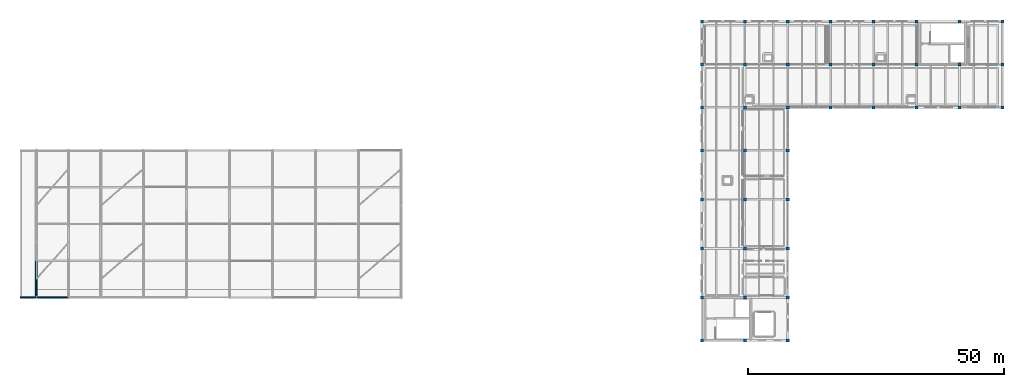
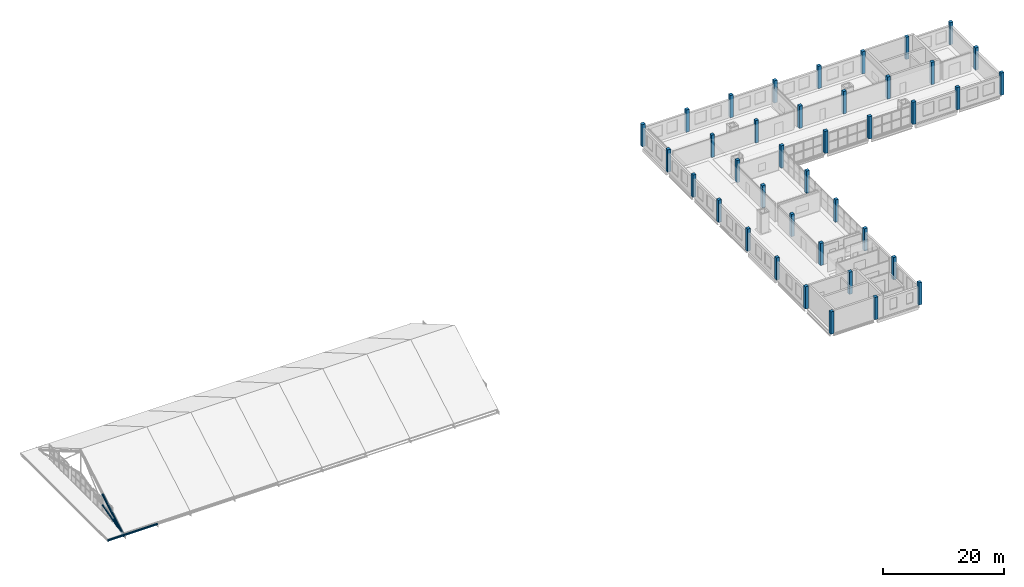
# One storey, part 1 of 54: 39 columns, 4 members.
"""IFC4 building model written with IfcOpenShell, lengths in metres."""

from ifc_helpers import new_model, si_unit, direction, frame, origin, origin_2d, place, context, subcontext, project, spatial, rectangle, hollow_circle, extrude, material, material_profile, profile_set, type_object, element, save


model = new_model("IFC4")

# Units and contexts
model_context = context("Model", 3, precision=1e-05, world=origin(), true_north=direction((0.0, 1.0)))
body_context = subcontext(model_context, "Body", "Model", "MODEL_VIEW")
ifc_project = project(units=[si_unit("LENGTHUNIT", "METRE"), si_unit("AREAUNIT", "SQUARE_METRE"), si_unit("VOLUMEUNIT", "CUBIC_METRE"), si_unit("PLANEANGLEUNIT", "RADIAN"), si_unit("MASSUNIT", "GRAM", prefix="KILO")], contexts=[model_context])

# Site, building, storey
site_placement = place(None, origin())
site = spatial("IfcSite", under=ifc_project, at=site_placement, CompositionType="ELEMENT")
building_placement = place(site_placement, origin())
building = spatial("IfcBuilding", under=site, at=building_placement, Name="Zulmaris Art Gallery", CompositionType="ELEMENT")
storey_placement = place(building_placement, frame((0.0, 0.0, 26.39990234375)))
storey = spatial("IfcBuildingStorey", under=building, at=storey_placement, Name="L05", CompositionType="ELEMENT", Elevation=26.39990234375)

# Columns
ifc_material_1 = material(Name="Concrete C40/50", Category="concrete")
ifc_material_profile_1 = material_profile(ifc_material_1, rectangle(XDim=0.60009765625, YDim=0.60009765625, at=origin_2d()), Name="RC 600x600")
ifc_profile_set_1 = profile_set([ifc_material_profile_1], Name="Concrete C40/50")
column_type = type_object("IfcColumnType", Name="COL-RC-600x600", PredefinedType="COLUMN", material=ifc_profile_set_1)
for number, where, z_axis, x_axis, name in (
    (1, (141.60009765625, 13.199951171875, 0.0), (0.0, 0.0, 1.0), (1.0, 0.0, 0.0), "L05 structural column (141.6, 13.2)"),
    (2, (141.60009765625, 21.60009765625, 0.0), (0.0, 0.0, 1.0), (1.0, 0.0, 0.0), "L05 structural column (141.6, 21.6)"),
    (3, (141.60009765625, 31.199951171875, 0.0), (0.0, 0.0, 1.0), (1.0, 0.0, 0.0), "L05 structural column (141.6, 31.2)"),
    (4, (141.60009765625, 40.800048828125, 0.0), (0.0, 0.0, 1.0), (1.0, 0.0, 0.0), "L05 structural column (141.6, 40.8)"),
    (5, (141.60009765625, 50.39990234375, 0.0), (0.0, 0.0, 1.0), (1.0, 0.0, 0.0), "L05 structural column (141.6, 50.4)"),
    (6, (141.60009765625, 58.800048828125, 0.0), (0.0, 0.0, 1.0), (1.0, 0.0, 0.0), "L05 structural column (141.6, 58.8)"),
    (7, (141.60009765625, 67.199951171875, 0.0), (0.0, 0.0, 1.0), (1.0, 0.0, 0.0), "L05 structural column (141.6, 67.2)"),
    (8, (141.60009765625, 75.60009765625, 0.0), (0.0, 0.0, 1.0), (1.0, 0.0, 0.0), "L05 structural column (141.6, 75.6)"),
    (9, (150.0, 13.199951171875, 0.0), (0.0, 0.0, 1.0), (1.0, 0.0, 0.0), "L05 structural column (150.0, 13.2)"),
    (10, (150.0, 21.60009765625, 0.0), (0.0, 0.0, 1.0), (1.0, 0.0, 0.0), "L05 structural column (150.0, 21.6)"),
    (11, (150.0, 31.199951171875, 0.0), (0.0, 0.0, 1.0), (1.0, 0.0, 0.0), "L05 structural column (150.0, 31.2)"),
    (12, (150.0, 40.800048828125, 0.0), (0.0, 0.0, 1.0), (1.0, 0.0, 0.0), "L05 structural column (150.0, 40.8)"),
    (13, (150.0, 50.39990234375, 0.0), (0.0, 0.0, 1.0), (1.0, 0.0, 0.0), "L05 structural column (150.0, 50.4)"),
    (14, (150.0, 58.800048828125, 0.0), (0.0, 0.0, 1.0), (1.0, 0.0, 0.0), "L05 structural column (150.0, 58.8)"),
    (15, (150.0, 67.199951171875, 0.0), (0.0, 0.0, 1.0), (1.0, 0.0, 0.0), "L05 structural column (150.0, 67.2)"),
    (16, (150.0, 75.60009765625, 0.0), (0.0, 0.0, 1.0), (1.0, 0.0, 0.0), "L05 structural column (150.0, 75.6)"),
    (17, (158.39990234375, 13.199951171875, 0.0), (0.0, 0.0, 1.0), (1.0, 0.0, 0.0), "L05 structural column (158.4, 13.2)"),
    (18, (158.39990234375, 21.60009765625, 0.0), (0.0, 0.0, 1.0), (1.0, 0.0, 0.0), "L05 structural column (158.4, 21.6)"),
    (19, (158.39990234375, 31.199951171875, 0.0), (0.0, 0.0, 1.0), (1.0, 0.0, 0.0), "L05 structural column (158.4, 31.2)"),
    (20, (158.39990234375, 40.800048828125, 0.0), (0.0, 0.0, 1.0), (1.0, 0.0, 0.0), "L05 structural column (158.4, 40.8)"),
    (21, (158.39990234375, 50.39990234375, 0.0), (0.0, 0.0, 1.0), (1.0, 0.0, 0.0), "L05 structural column (158.4, 50.4)"),
    (22, (158.39990234375, 58.800048828125, 0.0), (0.0, 0.0, 1.0), (1.0, 0.0, 0.0), "L05 structural column (158.4, 58.8)"),
    (23, (158.39990234375, 67.199951171875, 0.0), (0.0, 0.0, 1.0), (1.0, 0.0, 0.0), "L05 structural column (158.4, 67.2)"),
    (24, (158.39990234375, 75.60009765625, 0.0), (0.0, 0.0, 1.0), (1.0, 0.0, 0.0), "L05 structural column (158.4, 75.6)"),
    (25, (166.800048828125, 58.800048828125, 0.0), (0.0, 0.0, 1.0), (1.0, 0.0, 0.0), "L05 structural column (166.8, 58.8)"),
    (26, (166.800048828125, 67.199951171875, 0.0), (0.0, 0.0, 1.0), (1.0, 0.0, 0.0), "L05 structural column (166.8, 67.2)"),
    (27, (166.800048828125, 75.60009765625, 0.0), (0.0, 0.0, 1.0), (1.0, 0.0, 0.0), "L05 structural column (166.8, 75.6)"),
    (28, (175.199951171875, 58.800048828125, 0.0), (0.0, 0.0, 1.0), (1.0, 0.0, 0.0), "L05 structural column (175.2, 58.8)"),
    (29, (175.199951171875, 67.199951171875, 0.0), (0.0, 0.0, 1.0), (1.0, 0.0, 0.0), "L05 structural column (175.2, 67.2)"),
    (30, (175.199951171875, 75.60009765625, 0.0), (0.0, 0.0, 1.0), (1.0, 0.0, 0.0), "L05 structural column (175.2, 75.6)"),
    (31, (183.60009765625, 58.800048828125, 0.0), (0.0, 0.0, 1.0), (1.0, 0.0, 0.0), "L05 structural column (183.6, 58.8)"),
    (32, (183.60009765625, 67.199951171875, 0.0), (0.0, 0.0, 1.0), (1.0, 0.0, 0.0), "L05 structural column (183.6, 67.2)"),
    (33, (183.60009765625, 75.60009765625, 0.0), (0.0, 0.0, 1.0), (1.0, 0.0, 0.0), "L05 structural column (183.6, 75.6)"),
    (34, (192.0, 58.800048828125, 0.0), (0.0, 0.0, 1.0), (1.0, 0.0, 0.0), "L05 structural column (192.0, 58.8)"),
    (35, (192.0, 67.199951171875, 0.0), (0.0, 0.0, 1.0), (1.0, 0.0, 0.0), "L05 structural column (192.0, 67.2)"),
    (36, (192.0, 75.60009765625, 0.0), (0.0, 0.0, 1.0), (1.0, 0.0, 0.0), "L05 structural column (192.0, 75.6)"),
    (37, (200.39990234375, 58.800048828125, 0.0), (0.0, 0.0, 1.0), (1.0, 0.0, 0.0), "L05 structural column (200.4, 58.8)"),
    (38, (200.39990234375, 67.199951171875, 0.0), (0.0, 0.0, 1.0), (1.0, 0.0, 0.0), "L05 structural column (200.4, 67.2)"),
    (39, (200.39990234375, 75.60009765625, 0.0), (0.0, 0.0, 1.0), (1.0, 0.0, 0.0), "L05 structural column (200.4, 75.6)"),
):
    element("IfcColumn", number, at=place(storey_placement, frame(where, z_axis=z_axis, x_axis=x_axis)), inside=storey, type_object=column_type, Name=name, PredefinedType="COLUMN", context=body_context, shape_type="SweptSolid", body=[
        extrude(rectangle(XDim=0.60009765625, YDim=0.60009765625, at=origin_2d()), origin(), (0.0, 0.0, 1.0), 4.5),
    ])

# Members
ifc_material_2 = material(Name="Steel S355J2H", Category="steel")
ifc_material_profile_2 = material_profile(ifc_material_2, hollow_circle(Radius=0.177734375, WallThickness=0.01611328125, at=origin_2d()), Name="CHS 355.6x16")
ifc_profile_set_2 = profile_set([ifc_material_profile_2], Name="Steel S355J2H")
member_type_1 = type_object("IfcMemberType", Name="MEM-TC01", PredefinedType="CHORD", material=ifc_profile_set_2)
member_1_placement = place(storey_placement, frame((11.39990234375, 21.60009765625, -0.5498046875), z_axis=(0.0, 0.963517441554, 0.267645548853), x_axis=(-1.0, 0.0, 0.0)))
element("IfcMember", 40, at=member_1_placement, inside=storey, type_object=member_type_1, Name="Pitched gallery truss TR-R01 bottom chord 1", PredefinedType="CHORD", context=body_context, shape_type="SweptSolid", body=[
    extrude(hollow_circle(Radius=0.177734375, WallThickness=0.01611328125, at=origin_2d()), origin(), (0.0, 0.0, 1.0), 7.47265625),
])
ifc_material_profile_3 = material_profile(ifc_material_2, hollow_circle(Radius=0.203125, WallThickness=0.01611328125, at=origin_2d()), Name="CHS 406.4x16")
ifc_profile_set_3 = profile_set([ifc_material_profile_3], Name="Steel S355J2H")
member_type_2 = type_object("IfcMemberType", Name="MEM-TC02", PredefinedType="CHORD", material=ifc_profile_set_3)
member_2_placement = place(storey_placement, frame((8.199951171875, 21.60009765625, -0.25), z_axis=(1.0, 0.0, 0.0), x_axis=(0.0, 1.0, 0.0)))
element("IfcMember", 41, at=member_2_placement, inside=storey, type_object=member_type_2, Name="Eaves sunshade truss 1 top chord 1", PredefinedType="CHORD", context=body_context, shape_type="SweptSolid", body=[
    extrude(hollow_circle(Radius=0.203125, WallThickness=0.01611328125, at=origin_2d()), origin(), (0.0, 0.0, 1.0), 3.199951171875),
])
member_3_placement = place(storey_placement, frame((11.39990234375, 21.60009765625, -0.25), z_axis=(1.0, 0.0, 0.0), x_axis=(0.0, 1.0, 0.0)))
element("IfcMember", 42, at=member_3_placement, inside=storey, type_object=member_type_2, Name="Eaves sunshade truss 1 top chord 2", PredefinedType="CHORD", context=body_context, shape_type="SweptSolid", body=[
    extrude(hollow_circle(Radius=0.203125, WallThickness=0.01611328125, at=origin_2d()), origin(), (0.0, 0.0, 1.0), 6.300048828125),
])
ifc_material_profile_4 = material_profile(ifc_material_2, hollow_circle(Radius=0.228515625, WallThickness=0.02001953125, at=origin_2d()), Name="CHS 457x20")
ifc_profile_set_4 = profile_set([ifc_material_profile_4], Name="Steel S355J2H")
member_type_3 = type_object("IfcMemberType", Name="MEM-TC03", PredefinedType="CHORD", material=ifc_profile_set_4)
member_4_placement = place(storey_placement, frame((11.39990234375, 21.60009765625, -0.579833984375), z_axis=(0.0, 0.863779963214, 0.503869204407), x_axis=(-1.0, 0.0, 0.0)))
element("IfcMember", 43, at=member_4_placement, inside=storey, type_object=member_type_3, Name="Pitched gallery truss TR-R01 top chord 1", PredefinedType="CHORD", context=body_context, shape_type="SweptSolid", body=[
    extrude(hollow_circle(Radius=0.228515625, WallThickness=0.02001953125, at=origin_2d()), origin(), (0.0, 0.0, 1.0), 8.33544921875),
])

save(model, "model.ifc")
